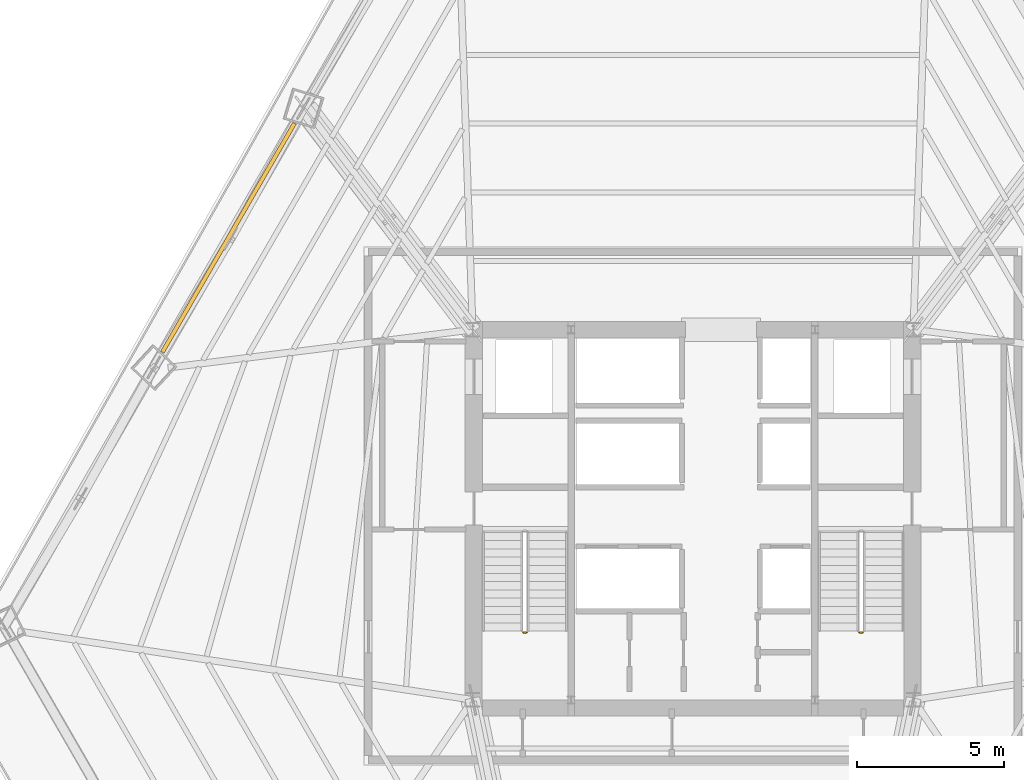
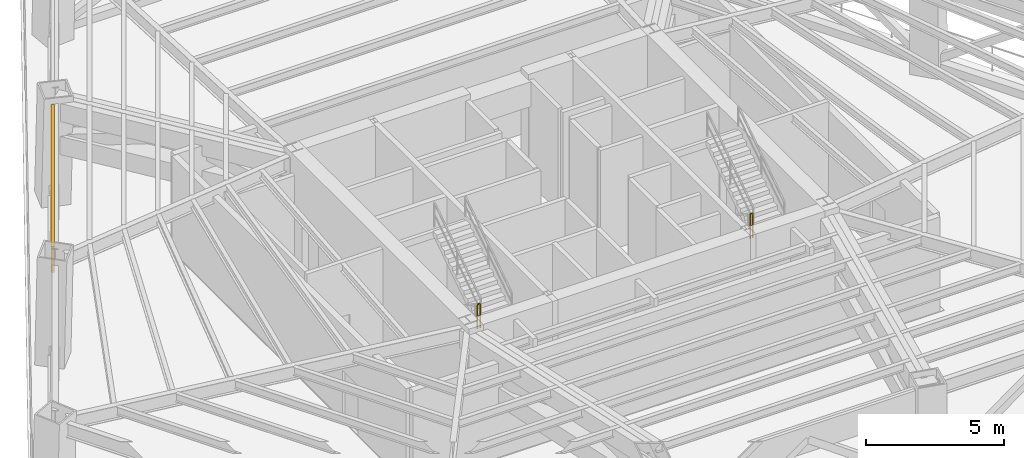
# One storey, part 10 of 13: 2 railings, 1 shading device.
"""IFC4 building model written with IfcOpenShell, lengths in metres."""

from ifc_helpers import new_model, si_unit, direction, frame, origin, origin_2d, place, context, subcontext, project, spatial, rectangle, extrude, source, transform, mapped, material, layer, layer_set, type_object, type_shapes, element, save


model = new_model("IFC4")

# Units and contexts
model_context = context("Model", 3, precision=1e-05, world=origin(), true_north=direction((0.0, 1.0)))
body_context = subcontext(model_context, "Body", "Model", "MODEL_VIEW")
ifc_project = project(units=[si_unit("LENGTHUNIT", "METRE"), si_unit("AREAUNIT", "SQUARE_METRE"), si_unit("VOLUMEUNIT", "CUBIC_METRE"), si_unit("PLANEANGLEUNIT", "RADIAN"), si_unit("MASSUNIT", "GRAM", prefix="KILO")], contexts=[model_context])

# Site, building, storey
site_placement = place(None, origin())
site = spatial("IfcSite", under=ifc_project, at=site_placement, CompositionType="ELEMENT")
building_placement = place(site_placement, origin())
building = spatial("IfcBuilding", under=site, at=building_placement, Name="Caelisora Broadcast Tower", CompositionType="ELEMENT")
storey_placement = place(building_placement, frame((0.0, 0.0, 75.050048828125)))
storey = spatial("IfcBuildingStorey", under=building, at=storey_placement, Name="L19", CompositionType="ELEMENT", Elevation=75.050048828125)

# Railings
ifc_material_1 = material(Name="Galvanised Steel Safety Guardrail", Category="steel")
ifc_layer_1 = layer(ifc_material_1, 0.048095703125, Name="Galvanised Steel Safety Guardrail")
ifc_layer_set_1 = layer_set([ifc_layer_1], Name="Galvanised Steel Safety Guardrail")
railing_type = type_object("IfcRailingType", Name="GR-1", PredefinedType="GUARDRAIL", material=ifc_layer_set_1)
for number, where, name in (
    (1, (32.219970703125, 19.68994140625, 2.39990234375), "L19 ST-1 stair guard 2"),
    (2, (43.659912109375, 19.68994140625, 2.39990234375), "L19 ST-2 stair guard 2"),
):
    element("IfcRailing", number, at=place(storey_placement, frame(where)), inside=storey, type_object=railing_type, Name=name, PredefinedType="GUARDRAIL", context=body_context, shape_type="SweptSolid", body=[
        extrude(rectangle(XDim=0.048095703125, YDim=0.048095703125, at=origin_2d()), frame((0.0, 0.0, 1.076171875), z_axis=(1.0, 0.0, 0.0), x_axis=(0.0, 1.0, 0.0)), (0.0, 0.0, 1.0), 0.1201171875),
        extrude(rectangle(XDim=0.03125, YDim=0.03125, at=origin_2d()), frame((0.0, 0.0, 0.550048828125), z_axis=(1.0, 0.0, 0.0), x_axis=(0.0, 1.0, 0.0)), (0.0, 0.0, 1.0), 0.1201171875),
        extrude(rectangle(XDim=0.0419921875, YDim=0.0419921875, at=origin_2d()), origin(), (0.0, 0.0, 1.0), 1.052001953125),
        extrude(rectangle(XDim=0.0419921875, YDim=0.0419921875, at=origin_2d()), frame((0.1201171875, 0.0, 0.0)), (0.0, 0.0, 1.0), 1.052001953125),
    ])

# Shading device
ifc_material_2 = material(Name="Anodised Terracotta Aluminium Acoustic Louvre", Category="aluminium")
ifc_layer_2 = layer(ifc_material_2, 0.139892578125, Name="Anodised Terracotta Aluminium Acoustic Louvre")
ifc_layer_set_2 = layer_set([ifc_layer_2], Name="Anodised Terracotta Aluminium Acoustic Louvre")
shading_device_type = type_object("IfcShadingDeviceType", Name="LV-1", PredefinedType="JALOUSIE", material=ifc_layer_set_2)
shared_shape = source(origin(), body_context, "Body", "SweptSolid", [
    extrude(rectangle(XDim=9.0009765625, YDim=0.139892578125, at=origin_2d()), origin(), (0.0, 0.0, 1.0), 1.14990234375),
])
type_shapes(shading_device_type, [shared_shape])
shading_device_placement = place(storey_placement, frame((22.186279296875, 33.1298828125, 3.409912109375), z_axis=(0.0, 0.0, 1.0), x_axis=(-0.5, -0.866025403784, 0.0)))
element("IfcShadingDevice", 3, at=shading_device_placement, inside=storey, type_object=shading_device_type, Name="L19 refuge wind-baffle louvre #2", PredefinedType="JALOUSIE", context=body_context, shape_type="MappedRepresentation", body=[
    mapped(shared_shape, transform((0.0, 0.0, 0.0), scale=1.0)),
])

save(model, "model.ifc")
